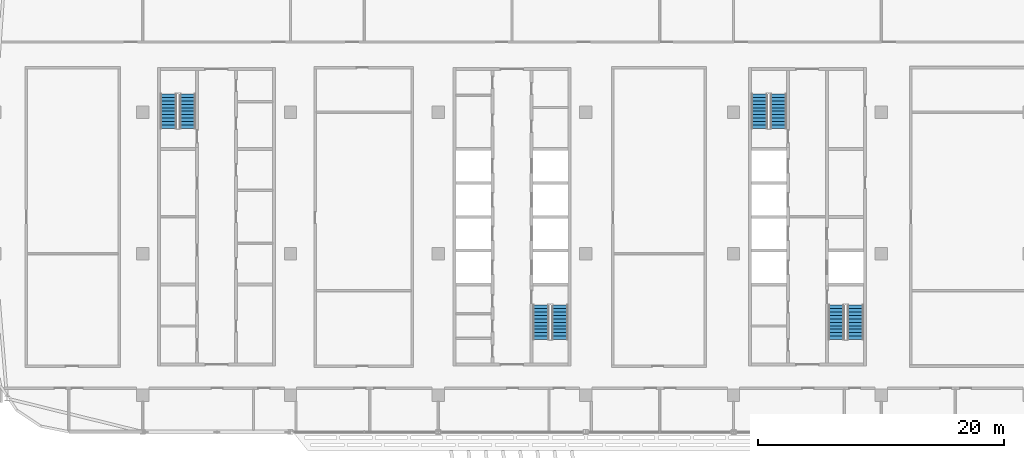
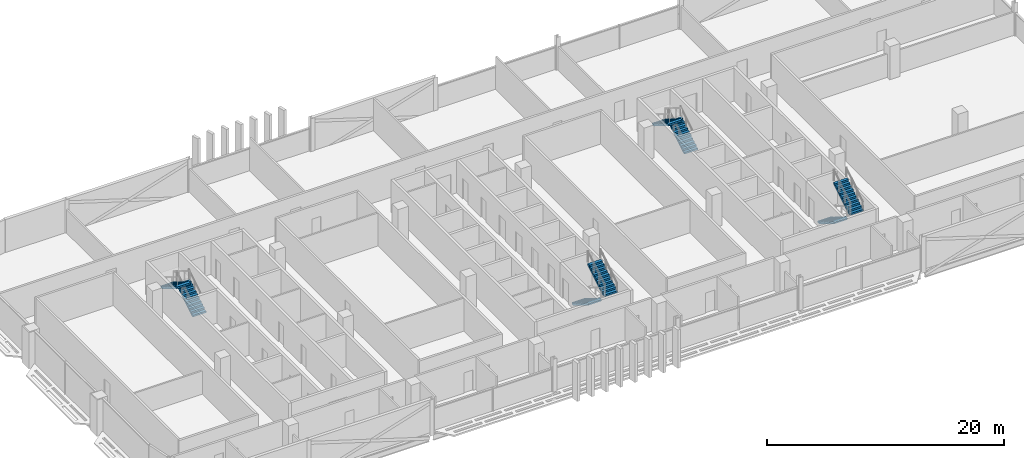
# One storey, part 23 of 33: 8 stair flights, 4 elements without a shape of their own.
"""IFC4 building model written with IfcOpenShell, lengths in metres."""

from ifc_helpers import new_model, si_unit, direction, frame, origin, place, context, subcontext, project, spatial, polyline, outline, extrude, material, type_object, element, aggregate, save


model = new_model("IFC4")

# Units and contexts
model_context = context("Model", 3, precision=1e-05, world=origin(), true_north=direction((0.0, 1.0)))
body_context = subcontext(model_context, "Body", "Model", "MODEL_VIEW")
ifc_project = project(units=[si_unit("LENGTHUNIT", "METRE"), si_unit("AREAUNIT", "SQUARE_METRE"), si_unit("VOLUMEUNIT", "CUBIC_METRE"), si_unit("PLANEANGLEUNIT", "RADIAN"), si_unit("MASSUNIT", "GRAM", prefix="KILO")], contexts=[model_context])

# Site, building, storey
site_placement = place(None, origin())
site = spatial("IfcSite", under=ifc_project, at=site_placement, CompositionType="ELEMENT")
building_placement = place(site_placement, origin())
building = spatial("IfcBuilding", under=site, at=building_placement, Name="Mahtab Terrace Research Tower", CompositionType="ELEMENT")
storey_placement = place(building_placement, frame((0.0, 0.0, 255.199951171875)))
storey = spatial("IfcBuildingStorey", under=building, at=storey_placement, Name="L62", CompositionType="ELEMENT", Elevation=255.199951171875)

# Stair, stair flights
ifc_material_1 = material(Name="Exit stair half-turn")
stair_type = type_object("IfcStairType", Name="Exit stair half-turn", PredefinedType="HALF_TURN_STAIR", material=ifc_material_1)
stair_1_placement = place(storey_placement, origin())
stair_1 = element("IfcStair", 1, at=stair_1_placement, inside=storey, type_object=stair_type, Name="L62 Protected exit stair ST1", PredefinedType="HALF_TURN_STAIR")
ifc_material_2 = material(Name="Concrete C40/50", Category="concrete")
stair_flight_type = type_object("IfcStairFlightType", Name="Exit stair flight 1300", PredefinedType="STRAIGHT", material=ifc_material_2)
stair_flight_1_placement = place(storey_placement, frame((-26.35009765625, 10.175048828125, 0.0), z_axis=(0.0, 0.0, 1.0), x_axis=(0.0, 1.0, 0.0)))
stair_flight_1 = element("IfcStairFlight", 2, at=stair_flight_1_placement, type_object=stair_flight_type, Name="ST1 flight 1", NumberOfRisers=11, NumberOfTreads=10, PredefinedType="STRAIGHT", RiserHeight=0.172727273, TreadLength=0.28, context=body_context, shape_type="SweptSolid", body=[
    extrude(outline(polyline([(0.0, 0.0), (0.0, 0.172607421875), (0.280029296875, 0.172607421875), (0.280029296875, 0.345458984375), (0.56005859375, 0.345458984375), (0.56005859375, 0.51806640625), (0.840087890625, 0.51806640625), (0.840087890625, 0.69091796875), (1.1201171875, 0.69091796875), (1.1201171875, 0.863525390625), (1.39990234375, 0.863525390625), (1.39990234375, 1.036376953125), (1.679931640625, 1.036376953125), (1.679931640625, 1.208984375), (1.9599609375, 1.208984375), (1.9599609375, 1.3818359375), (2.239990234375, 1.3818359375), (2.239990234375, 1.554443359375), (2.52001953125, 1.554443359375), (2.52001953125, 1.727294921875), (2.800048828125, 1.727294921875), (2.800048828125, 1.89990234375), (2.800048828125, 1.551025390625), (0.285400390625, 0.0), (0.0, 0.0)])), frame((0.0, 0.64990234375, 0.0), z_axis=(0.0, -1.0, 0.0), x_axis=(1.0, 0.0, 0.0)), (0.0, 0.0, 1.0), 1.300048828125),
])
stair_flight_2_placement = place(storey_placement, frame((-27.89990234375, 12.97509765625, 1.900146484375), z_axis=(0.0, 0.0, 1.0), x_axis=(0.0, -1.0, 0.0)))
stair_flight_2 = element("IfcStairFlight", 3, at=stair_flight_2_placement, type_object=stair_flight_type, Name="ST1 flight 2", NumberOfRisers=11, NumberOfTreads=10, PredefinedType="STRAIGHT", RiserHeight=0.172727273, TreadLength=0.28, context=body_context, shape_type="SweptSolid", body=[
    extrude(outline(polyline([(0.0, 0.0), (0.0, 0.172607421875), (0.280029296875, 0.172607421875), (0.280029296875, 0.345458984375), (0.56005859375, 0.345458984375), (0.56005859375, 0.51806640625), (0.840087890625, 0.51806640625), (0.840087890625, 0.69091796875), (1.1201171875, 0.69091796875), (1.1201171875, 0.863525390625), (1.39990234375, 0.863525390625), (1.39990234375, 1.036376953125), (1.679931640625, 1.036376953125), (1.679931640625, 1.208984375), (1.9599609375, 1.208984375), (1.9599609375, 1.3818359375), (2.239990234375, 1.3818359375), (2.239990234375, 1.554443359375), (2.52001953125, 1.554443359375), (2.52001953125, 1.727294921875), (2.800048828125, 1.727294921875), (2.800048828125, 1.89990234375), (2.800048828125, 1.551025390625), (0.285400390625, 0.0), (0.0, 0.0)])), frame((0.0, 0.64990234375, 0.0), z_axis=(0.0, -1.0, 0.0), x_axis=(1.0, 0.0, 0.0)), (0.0, 0.0, 1.0), 1.300048828125),
])
aggregate(stair_1, [stair_flight_1, stair_flight_2])

stair_2_placement = place(storey_placement, origin())
stair_2 = element("IfcStair", 4, at=stair_2_placement, inside=storey, type_object=stair_type, Name="L62 Protected exit stair ST2", PredefinedType="HALF_TURN_STAIR")
stair_flight_3_placement = place(storey_placement, frame((2.35009765625, -4.175048828125, 0.0), z_axis=(0.0, 0.0, 1.0), x_axis=(0.0, -1.0, 0.0)))
stair_flight_3 = element("IfcStairFlight", 5, at=stair_flight_3_placement, type_object=stair_flight_type, Name="ST2 flight 1", NumberOfRisers=11, NumberOfTreads=10, PredefinedType="STRAIGHT", RiserHeight=0.172727273, TreadLength=0.28, context=body_context, shape_type="SweptSolid", body=[
    extrude(outline(polyline([(0.0, 0.0), (0.0, 0.172607421875), (0.280029296875, 0.172607421875), (0.280029296875, 0.345458984375), (0.56005859375, 0.345458984375), (0.56005859375, 0.51806640625), (0.840087890625, 0.51806640625), (0.840087890625, 0.69091796875), (1.1201171875, 0.69091796875), (1.1201171875, 0.863525390625), (1.39990234375, 0.863525390625), (1.39990234375, 1.036376953125), (1.679931640625, 1.036376953125), (1.679931640625, 1.208984375), (1.9599609375, 1.208984375), (1.9599609375, 1.3818359375), (2.239990234375, 1.3818359375), (2.239990234375, 1.554443359375), (2.52001953125, 1.554443359375), (2.52001953125, 1.727294921875), (2.800048828125, 1.727294921875), (2.800048828125, 1.89990234375), (2.800048828125, 1.551025390625), (0.285400390625, 0.0), (0.0, 0.0)])), frame((0.0, 0.64990234375, 0.0), z_axis=(0.0, -1.0, 0.0), x_axis=(1.0, 0.0, 0.0)), (0.0, 0.0, 1.0), 1.300048828125),
])
stair_flight_4_placement = place(storey_placement, frame((3.89990234375, -6.97509765625, 1.900146484375), z_axis=(0.0, 0.0, 1.0), x_axis=(0.0, 1.0, 0.0)))
stair_flight_4 = element("IfcStairFlight", 6, at=stair_flight_4_placement, type_object=stair_flight_type, Name="ST2 flight 2", NumberOfRisers=11, NumberOfTreads=10, PredefinedType="STRAIGHT", RiserHeight=0.172727273, TreadLength=0.28, context=body_context, shape_type="SweptSolid", body=[
    extrude(outline(polyline([(0.0, 0.0), (0.0, 0.172607421875), (0.280029296875, 0.172607421875), (0.280029296875, 0.345458984375), (0.56005859375, 0.345458984375), (0.56005859375, 0.51806640625), (0.840087890625, 0.51806640625), (0.840087890625, 0.69091796875), (1.1201171875, 0.69091796875), (1.1201171875, 0.863525390625), (1.39990234375, 0.863525390625), (1.39990234375, 1.036376953125), (1.679931640625, 1.036376953125), (1.679931640625, 1.208984375), (1.9599609375, 1.208984375), (1.9599609375, 1.3818359375), (2.239990234375, 1.3818359375), (2.239990234375, 1.554443359375), (2.52001953125, 1.554443359375), (2.52001953125, 1.727294921875), (2.800048828125, 1.727294921875), (2.800048828125, 1.89990234375), (2.800048828125, 1.551025390625), (0.285400390625, 0.0), (0.0, 0.0)])), frame((0.0, 0.64990234375, 0.0), z_axis=(0.0, -1.0, 0.0), x_axis=(1.0, 0.0, 0.0)), (0.0, 0.0, 1.0), 1.300048828125),
])
aggregate(stair_2, [stair_flight_3, stair_flight_4])

stair_3_placement = place(storey_placement, origin())
stair_3 = element("IfcStair", 7, at=stair_3_placement, inside=storey, type_object=stair_type, Name="L62 Protected exit stair ST3", PredefinedType="HALF_TURN_STAIR")
stair_flight_5_placement = place(storey_placement, frame((21.64990234375, 10.175048828125, 0.0), z_axis=(0.0, 0.0, 1.0), x_axis=(0.0, 1.0, 0.0)))
stair_flight_5 = element("IfcStairFlight", 8, at=stair_flight_5_placement, type_object=stair_flight_type, Name="ST3 flight 1", NumberOfRisers=11, NumberOfTreads=10, PredefinedType="STRAIGHT", RiserHeight=0.172727273, TreadLength=0.28, context=body_context, shape_type="SweptSolid", body=[
    extrude(outline(polyline([(0.0, 0.0), (0.0, 0.172607421875), (0.280029296875, 0.172607421875), (0.280029296875, 0.345458984375), (0.56005859375, 0.345458984375), (0.56005859375, 0.51806640625), (0.840087890625, 0.51806640625), (0.840087890625, 0.69091796875), (1.1201171875, 0.69091796875), (1.1201171875, 0.863525390625), (1.39990234375, 0.863525390625), (1.39990234375, 1.036376953125), (1.679931640625, 1.036376953125), (1.679931640625, 1.208984375), (1.9599609375, 1.208984375), (1.9599609375, 1.3818359375), (2.239990234375, 1.3818359375), (2.239990234375, 1.554443359375), (2.52001953125, 1.554443359375), (2.52001953125, 1.727294921875), (2.800048828125, 1.727294921875), (2.800048828125, 1.89990234375), (2.800048828125, 1.551025390625), (0.285400390625, 0.0), (0.0, 0.0)])), frame((0.0, 0.64990234375, 0.0), z_axis=(0.0, -1.0, 0.0), x_axis=(1.0, 0.0, 0.0)), (0.0, 0.0, 1.0), 1.300048828125),
])
stair_flight_6_placement = place(storey_placement, frame((20.10009765625, 12.97509765625, 1.900146484375), z_axis=(0.0, 0.0, 1.0), x_axis=(0.0, -1.0, 0.0)))
stair_flight_6 = element("IfcStairFlight", 9, at=stair_flight_6_placement, type_object=stair_flight_type, Name="ST3 flight 2", NumberOfRisers=11, NumberOfTreads=10, PredefinedType="STRAIGHT", RiserHeight=0.172727273, TreadLength=0.28, context=body_context, shape_type="SweptSolid", body=[
    extrude(outline(polyline([(0.0, 0.0), (0.0, 0.172607421875), (0.280029296875, 0.172607421875), (0.280029296875, 0.345458984375), (0.56005859375, 0.345458984375), (0.56005859375, 0.51806640625), (0.840087890625, 0.51806640625), (0.840087890625, 0.69091796875), (1.1201171875, 0.69091796875), (1.1201171875, 0.863525390625), (1.39990234375, 0.863525390625), (1.39990234375, 1.036376953125), (1.679931640625, 1.036376953125), (1.679931640625, 1.208984375), (1.9599609375, 1.208984375), (1.9599609375, 1.3818359375), (2.239990234375, 1.3818359375), (2.239990234375, 1.554443359375), (2.52001953125, 1.554443359375), (2.52001953125, 1.727294921875), (2.800048828125, 1.727294921875), (2.800048828125, 1.89990234375), (2.800048828125, 1.551025390625), (0.285400390625, 0.0), (0.0, 0.0)])), frame((0.0, 0.64990234375, 0.0), z_axis=(0.0, -1.0, 0.0), x_axis=(1.0, 0.0, 0.0)), (0.0, 0.0, 1.0), 1.300048828125),
])
aggregate(stair_3, [stair_flight_5, stair_flight_6])

stair_4_placement = place(storey_placement, origin())
stair_4 = element("IfcStair", 10, at=stair_4_placement, inside=storey, type_object=stair_type, Name="L62 Protected exit stair ST4", PredefinedType="HALF_TURN_STAIR")
stair_flight_7_placement = place(storey_placement, frame((26.35009765625, -4.175048828125, 0.0), z_axis=(0.0, 0.0, 1.0), x_axis=(0.0, -1.0, 0.0)))
stair_flight_7 = element("IfcStairFlight", 11, at=stair_flight_7_placement, type_object=stair_flight_type, Name="ST4 flight 1", NumberOfRisers=11, NumberOfTreads=10, PredefinedType="STRAIGHT", RiserHeight=0.172727273, TreadLength=0.28, context=body_context, shape_type="SweptSolid", body=[
    extrude(outline(polyline([(0.0, 0.0), (0.0, 0.172607421875), (0.280029296875, 0.172607421875), (0.280029296875, 0.345458984375), (0.56005859375, 0.345458984375), (0.56005859375, 0.51806640625), (0.840087890625, 0.51806640625), (0.840087890625, 0.69091796875), (1.1201171875, 0.69091796875), (1.1201171875, 0.863525390625), (1.39990234375, 0.863525390625), (1.39990234375, 1.036376953125), (1.679931640625, 1.036376953125), (1.679931640625, 1.208984375), (1.9599609375, 1.208984375), (1.9599609375, 1.3818359375), (2.239990234375, 1.3818359375), (2.239990234375, 1.554443359375), (2.52001953125, 1.554443359375), (2.52001953125, 1.727294921875), (2.800048828125, 1.727294921875), (2.800048828125, 1.89990234375), (2.800048828125, 1.551025390625), (0.285400390625, 0.0), (0.0, 0.0)])), frame((0.0, 0.64990234375, 0.0), z_axis=(0.0, -1.0, 0.0), x_axis=(1.0, 0.0, 0.0)), (0.0, 0.0, 1.0), 1.300048828125),
])
stair_flight_8_placement = place(storey_placement, frame((27.89990234375, -6.97509765625, 1.900146484375), z_axis=(0.0, 0.0, 1.0), x_axis=(0.0, 1.0, 0.0)))
stair_flight_8 = element("IfcStairFlight", 12, at=stair_flight_8_placement, type_object=stair_flight_type, Name="ST4 flight 2", NumberOfRisers=11, NumberOfTreads=10, PredefinedType="STRAIGHT", RiserHeight=0.172727273, TreadLength=0.28, context=body_context, shape_type="SweptSolid", body=[
    extrude(outline(polyline([(0.0, 0.0), (0.0, 0.172607421875), (0.280029296875, 0.172607421875), (0.280029296875, 0.345458984375), (0.56005859375, 0.345458984375), (0.56005859375, 0.51806640625), (0.840087890625, 0.51806640625), (0.840087890625, 0.69091796875), (1.1201171875, 0.69091796875), (1.1201171875, 0.863525390625), (1.39990234375, 0.863525390625), (1.39990234375, 1.036376953125), (1.679931640625, 1.036376953125), (1.679931640625, 1.208984375), (1.9599609375, 1.208984375), (1.9599609375, 1.3818359375), (2.239990234375, 1.3818359375), (2.239990234375, 1.554443359375), (2.52001953125, 1.554443359375), (2.52001953125, 1.727294921875), (2.800048828125, 1.727294921875), (2.800048828125, 1.89990234375), (2.800048828125, 1.551025390625), (0.285400390625, 0.0), (0.0, 0.0)])), frame((0.0, 0.64990234375, 0.0), z_axis=(0.0, -1.0, 0.0), x_axis=(1.0, 0.0, 0.0)), (0.0, 0.0, 1.0), 1.300048828125),
])
aggregate(stair_4, [stair_flight_7, stair_flight_8])

save(model, "model.ifc")
